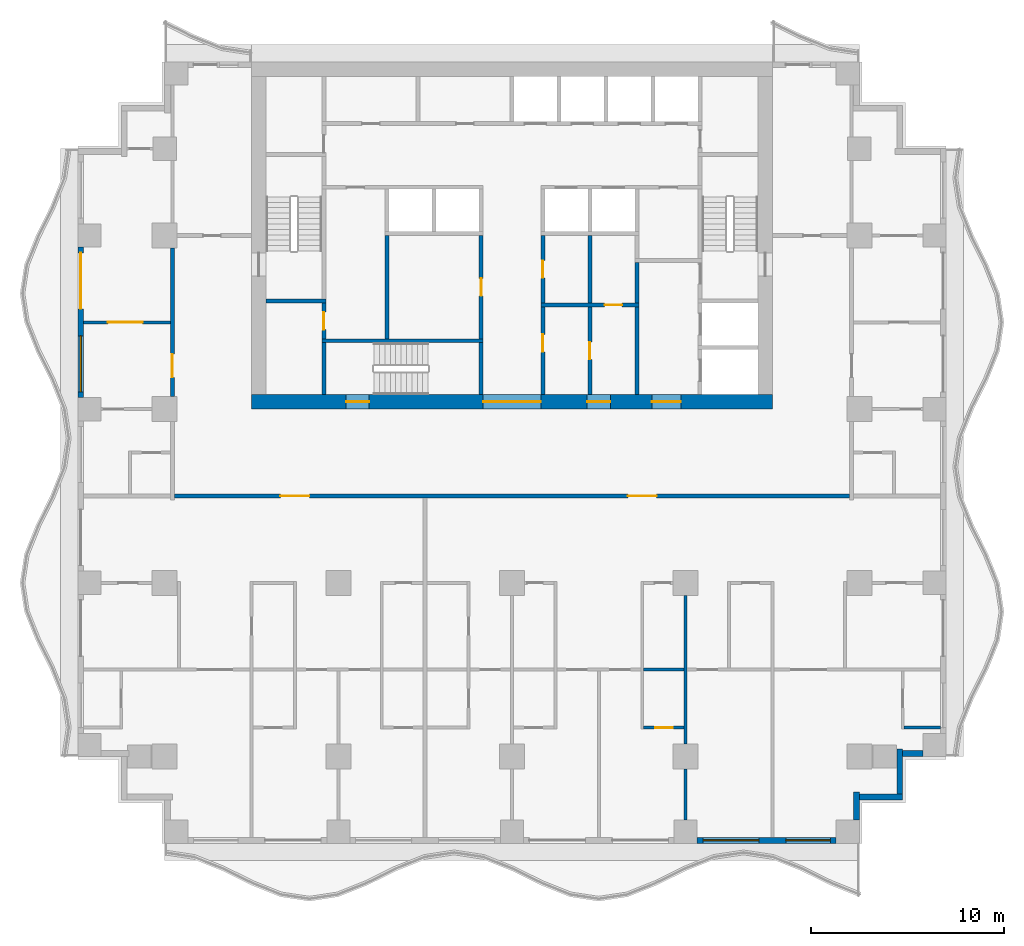
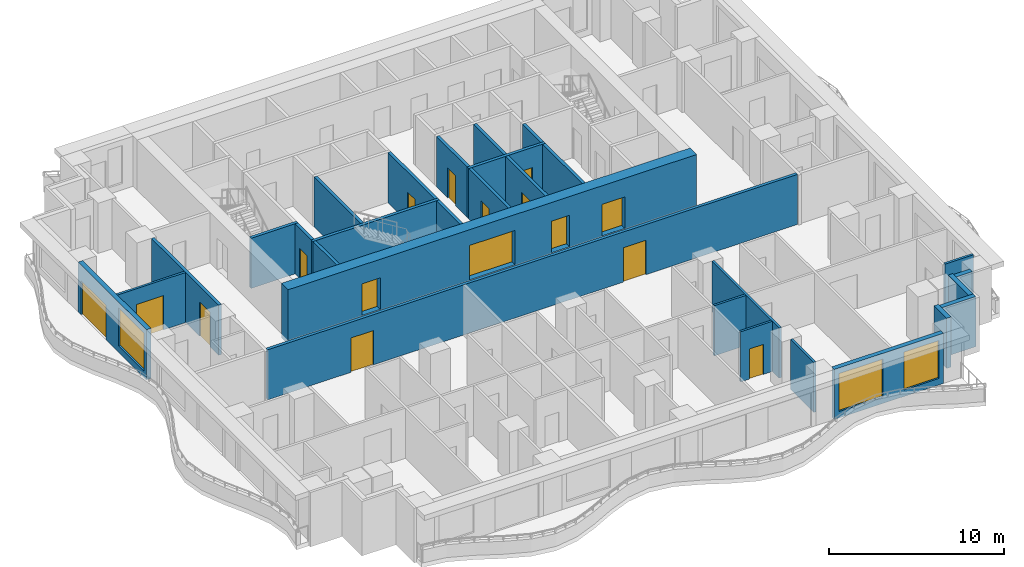
# One storey, part 3 of 10: 29 walls, 16 doors, 3 windows, 19 openings.
"""IFC4 building model written with IfcOpenShell, lengths in metres."""

from ifc_helpers import new_model, si_unit, direction, frame, frame_2d, origin, place, context, subcontext, project, spatial, rectangle, extrude, material, layer, layer_set, type_object, element, fill, save


model = new_model("IFC4")

# Units and contexts
model_context = context("Model", 3, precision=1e-05, world=origin(), true_north=direction((0.0, 1.0)))
body_context = subcontext(model_context, "Body", "Model", "MODEL_VIEW")
ifc_project = project(units=[si_unit("LENGTHUNIT", "METRE"), si_unit("AREAUNIT", "SQUARE_METRE"), si_unit("VOLUMEUNIT", "CUBIC_METRE"), si_unit("PLANEANGLEUNIT", "RADIAN"), si_unit("MASSUNIT", "GRAM", prefix="KILO")], contexts=[model_context])

# Site, building, storey
site_placement = place(None, origin())
site = spatial("IfcSite", under=ifc_project, at=site_placement, CompositionType="ELEMENT")
building_placement = place(site_placement, origin())
building = spatial("IfcBuilding", under=site, at=building_placement, Name="Orbiselva Terraces", CompositionType="ELEMENT")
storey_placement = place(building_placement, frame((0.0, 0.0, 136.4)))
storey = spatial("IfcBuildingStorey", under=building, at=storey_placement, Name="L34", CompositionType="ELEMENT", Elevation=136.4)

# Wall, openings, doors
ifc_material_1 = material(Name="Concrete C80/95", Category="concrete")
ifc_layer_1 = layer(ifc_material_1, 0.75)
ifc_layer_set_1 = layer_set([ifc_layer_1], Name="Concrete C80/95")
wall_type_1 = type_object("IfcWallType", Name="CORE WALL 750", PredefinedType="SHEAR", material=ifc_layer_set_1)
wall_1_placement = place(storey_placement, frame((-13.5, 4.875, -0.3), z_axis=(0.0, 0.0, 1.0), x_axis=(1.0, 0.0, 0.0)))
wall_1 = element("IfcWall", 1, at=wall_1_placement, inside=storey, type_object=wall_type_1, Name="Core wall L34 south", PredefinedType="SHEAR", context=body_context, shape_type="SweptSolid", body=[
    extrude(rectangle(XDim=27.0, YDim=0.75, at=frame_2d((13.5, 0.0))), origin(), (0.0, 0.0, 1.0), 3.8),
])
opening_1_placement = place(wall_1_placement, frame((12.0, 0.0, 0.3)))
opening_1 = element("IfcOpeningElement", 2, at=opening_1_placement, cuts=wall_1, Name="Opening DL3000", PredefinedType="OPENING", context=body_context, shape_type="SweptSolid", body=[
    extrude(rectangle(XDim=3.0, YDim=2.4, at=frame_2d((1.5, 1.2))), frame((0.0, 0.385, 0.0), z_axis=(0.0, -1.0, 0.0), x_axis=(1.0, 0.0, 0.0)), (0.0, 0.0, 1.0), 0.77),
])
opening_2_placement = place(wall_1_placement, frame((4.9, 0.0, 0.3)))
opening_2 = element("IfcOpeningElement", 3, at=opening_2_placement, cuts=wall_1, Name="Opening DS1200", PredefinedType="OPENING", context=body_context, shape_type="SweptSolid", body=[
    extrude(rectangle(XDim=1.2, YDim=2.2, at=frame_2d((0.6, 1.1))), frame((0.0, 0.385, 0.0), z_axis=(0.0, -1.0, 0.0), x_axis=(1.0, 0.0, 0.0)), (0.0, 0.0, 1.0), 0.77),
])
opening_3_placement = place(wall_1_placement, frame((20.75, 0.0, 0.3)))
opening_3 = element("IfcOpeningElement", 4, at=opening_3_placement, cuts=wall_1, Name="Opening DF1500", PredefinedType="OPENING", context=body_context, shape_type="SweptSolid", body=[
    extrude(rectangle(XDim=1.5, YDim=2.2, at=frame_2d((0.75, 1.1))), frame((0.0, 0.385, 0.0), z_axis=(0.0, -1.0, 0.0), x_axis=(1.0, 0.0, 0.0)), (0.0, 0.0, 1.0), 0.77),
])
opening_4_placement = place(wall_1_placement, frame((17.4, 0.0, 0.3)))
opening_4 = element("IfcOpeningElement", 5, at=opening_4_placement, cuts=wall_1, Name="Opening DV1200", PredefinedType="OPENING", context=body_context, shape_type="SweptSolid", body=[
    extrude(rectangle(XDim=1.2, YDim=2.2, at=frame_2d((0.6, 1.1))), frame((0.0, 0.385, 0.0), z_axis=(0.0, -1.0, 0.0), x_axis=(1.0, 0.0, 0.0)), (0.0, 0.0, 1.0), 0.77),
])
ifc_material_2 = material(Name="Steel fire door", Category="steel")
door_type_1 = type_object("IfcDoorType", Name="FFL DOOR 1500", OperationType="DOUBLE_DOOR_SINGLE_SWING", PredefinedType="DOOR", material=ifc_material_2)
door_1_placement = place(opening_3_placement, frame((1.5, 0.0, 0.0), z_axis=(0.0, 0.0, 1.0), x_axis=(-1.0, 0.0, 0.0)))
door_1 = element("IfcDoor", 6, at=door_1_placement, inside=storey, type_object=door_type_1, Name="L34 FIRE-FIGHTING LOBBY door", OperationType="DOUBLE_DOOR_SINGLE_SWING", OverallHeight=2.2, OverallWidth=1.5, PredefinedType="DOOR", context=body_context, shape_type="SweptSolid", body=[
    extrude(rectangle(XDim=1.5, YDim=2.2, at=frame_2d((0.75, 1.1))), frame((0.0, 0.025, 0.0), z_axis=(0.0, -1.0, 0.0), x_axis=(1.0, 0.0, 0.0)), (0.0, 0.0, 1.0), 0.05),
])
fill(opening_3, door_1)
door_type_2 = type_object("IfcDoorType", Name="LOBBY DOOR 3000", OperationType="DOUBLE_DOOR_SINGLE_SWING", PredefinedType="DOOR", material=ifc_material_2)
door_2_placement = place(opening_1_placement, frame((3.0, 0.0, 0.0), z_axis=(0.0, 0.0, 1.0), x_axis=(-1.0, 0.0, 0.0)))
door_2 = element("IfcDoor", 7, at=door_2_placement, inside=storey, type_object=door_type_2, Name="L34 LIFT LOBBY door", OperationType="DOUBLE_DOOR_SINGLE_SWING", OverallHeight=2.4, OverallWidth=3.0, PredefinedType="DOOR", context=body_context, shape_type="SweptSolid", body=[
    extrude(rectangle(XDim=3.0, YDim=2.4, at=frame_2d((1.5, 1.2))), frame((0.0, 0.025, 0.0), z_axis=(0.0, -1.0, 0.0), x_axis=(1.0, 0.0, 0.0)), (0.0, 0.0, 1.0), 0.05),
])
fill(opening_1, door_2)
door_type_3 = type_object("IfcDoorType", Name="SERVICE DOOR 1200", OperationType="NOTDEFINED", PredefinedType="DOOR", material=ifc_material_2)
door_3_placement = place(opening_4_placement, frame((1.2, 0.0, 0.0), z_axis=(0.0, 0.0, 1.0), x_axis=(-1.0, 0.0, 0.0)))
door_3 = element("IfcDoor", 8, at=door_3_placement, inside=storey, type_object=door_type_3, Name="L34 SPARE PARTS STORE door", OperationType="SINGLE_SWING_RIGHT", OverallHeight=2.2, OverallWidth=1.2, PredefinedType="DOOR", context=body_context, shape_type="SweptSolid", body=[
    extrude(rectangle(XDim=1.2, YDim=2.2, at=frame_2d((0.6, 1.1))), frame((0.0, 0.025, 0.0), z_axis=(0.0, -1.0, 0.0), x_axis=(1.0, 0.0, 0.0)), (0.0, 0.0, 1.0), 0.05),
])
fill(opening_4, door_3)
door_type_4 = type_object("IfcDoorType", Name="STAIR DOOR 1200", OperationType="NOTDEFINED", PredefinedType="DOOR", material=ifc_material_2)
door_4_placement = place(opening_2_placement, frame((1.2, 0.0, 0.0), z_axis=(0.0, 0.0, 1.0), x_axis=(-1.0, 0.0, 0.0)))
door_4 = element("IfcDoor", 9, at=door_4_placement, inside=storey, type_object=door_type_4, Name="L34 EXIT STAIR S3 door", OperationType="SINGLE_SWING_LEFT", OverallHeight=2.2, OverallWidth=1.2, PredefinedType="DOOR", context=body_context, shape_type="SweptSolid", body=[
    extrude(rectangle(XDim=1.2, YDim=2.2, at=frame_2d((0.6, 1.1))), frame((0.0, 0.025, 0.0), z_axis=(0.0, -1.0, 0.0), x_axis=(1.0, 0.0, 0.0)), (0.0, 0.0, 1.0), 0.05),
])
fill(opening_2, door_4)

# Wall, opening, door
ifc_material_3 = material(Name="Masonry blockwork", Category="masonry")
ifc_layer_2 = layer(ifc_material_3, 0.2)
ifc_layer_set_2 = layer_set([ifc_layer_2], Name="Masonry blockwork")
wall_type_2 = type_object("IfcWallType", Name="CORE-WALL-PARTITION-200", PredefinedType="PARTITIONING", material=ifc_layer_set_2)
wall_2_placement = place(storey_placement, frame((-9.75, 8.15, 0.0), z_axis=(0.0, 0.0, 1.0), x_axis=(0.0, 1.0, 0.0)))
wall_2 = element("IfcWall", 10, at=wall_2_placement, inside=storey, type_object=wall_type_2, Name="L34 core wall 05", PredefinedType="PARTITIONING", context=body_context, shape_type="SweptSolid", body=[
    extrude(rectangle(XDim=1.85, YDim=0.2, at=frame_2d((0.925, 0.0))), origin(), (0.0, 0.0, 1.0), 3.5),
])
opening_5_placement = place(wall_2_placement, frame((0.475, 0.0, 0.0)))
opening_5 = element("IfcOpeningElement", 11, at=opening_5_placement, cuts=wall_2, Name="Opening DR900", PredefinedType="OPENING", context=body_context, shape_type="SweptSolid", body=[
    extrude(rectangle(XDim=0.9, YDim=2.1, at=frame_2d((0.45, 1.05))), frame((0.0, 0.11, 0.0), z_axis=(0.0, -1.0, 0.0), x_axis=(1.0, 0.0, 0.0)), (0.0, 0.0, 1.0), 0.22),
])
door_type_5 = type_object("IfcDoorType", Name="ROOM DOOR 900", OperationType="NOTDEFINED", PredefinedType="DOOR", material=ifc_material_2)
door_5_placement = place(opening_5_placement, origin())
door_5 = element("IfcDoor", 12, at=door_5_placement, inside=storey, type_object=door_type_5, Name="L34 STAFF WC door", OperationType="SINGLE_SWING_RIGHT", OverallHeight=2.1, OverallWidth=0.9, PredefinedType="DOOR", context=body_context, shape_type="SweptSolid", body=[
    extrude(rectangle(XDim=0.9, YDim=2.1, at=frame_2d((0.45, 1.05))), frame((0.0, 0.025, 0.0), z_axis=(0.0, -1.0, 0.0), x_axis=(1.0, 0.0, 0.0)), (0.0, 0.0, 1.0), 0.05),
])
fill(opening_5, door_5)

# Wall
wall_3_placement = place(storey_placement, frame((-6.475, 8.15, 0.0), z_axis=(0.0, 0.0, 1.0), x_axis=(0.0, 1.0, 0.0)))
element("IfcWall", 13, at=wall_3_placement, inside=storey, type_object=wall_type_2, Name="L34 core wall 12", PredefinedType="PARTITIONING", context=body_context, shape_type="SweptSolid", body=[
    extrude(rectangle(XDim=5.35, YDim=0.2, at=frame_2d((2.675, 0.0))), origin(), (0.0, 0.0, 1.0), 3.5),
])

# Wall, opening, door
wall_4_placement = place(storey_placement, frame((4.0375, 9.8, 0.0), z_axis=(0.0, 0.0, 1.0), x_axis=(0.0, -1.0, 0.0)))
wall_4 = element("IfcWall", 14, at=wall_4_placement, inside=storey, type_object=wall_type_2, Name="L34 core wall 28", PredefinedType="PARTITIONING", context=body_context, shape_type="SweptSolid", body=[
    extrude(rectangle(XDim=4.55, YDim=0.2, at=frame_2d((2.275, 0.0))), origin(), (0.0, 0.0, 1.0), 3.5),
])
opening_6_placement = place(wall_4_placement, frame((1.825, 0.0, 0.0)))
opening_6 = element("IfcOpeningElement", 15, at=opening_6_placement, cuts=wall_4, Name="Opening DR900", PredefinedType="OPENING", context=body_context, shape_type="SweptSolid", body=[
    extrude(rectangle(XDim=0.9, YDim=2.1, at=frame_2d((0.45, 1.05))), frame((0.0, 0.11, 0.0), z_axis=(0.0, -1.0, 0.0), x_axis=(1.0, 0.0, 0.0)), (0.0, 0.0, 1.0), 0.22),
])
door_6_placement = place(opening_6_placement, origin())
door_6 = element("IfcDoor", 16, at=door_6_placement, inside=storey, type_object=door_type_5, Name="L34 SPARE PARTS STORE door", OperationType="SINGLE_SWING_LEFT", OverallHeight=2.1, OverallWidth=0.9, PredefinedType="DOOR", context=body_context, shape_type="SweptSolid", body=[
    extrude(rectangle(XDim=0.9, YDim=2.1, at=frame_2d((0.45, 1.05))), frame((0.0, 0.025, 0.0), z_axis=(0.0, -1.0, 0.0), x_axis=(1.0, 0.0, 0.0)), (0.0, 0.0, 1.0), 0.05),
])
fill(opening_6, door_6)

# Walls
wall_5_placement = place(storey_placement, frame((4.0375, 10.0, 0.0), z_axis=(0.0, 0.0, 1.0), x_axis=(0.0, 1.0, 0.0)))
element("IfcWall", 17, at=wall_5_placement, inside=storey, type_object=wall_type_2, Name="L34 core wall 29", PredefinedType="PARTITIONING", context=body_context, shape_type="SweptSolid", body=[
    extrude(rectangle(XDim=3.5, YDim=0.2, at=frame_2d((1.75, 0.0))), origin(), (0.0, 0.0, 1.0), 3.5),
])
ifc_material_4 = material(Name="Concrete C60/75", Category="concrete")
ifc_layer_3 = layer(ifc_material_4, 0.2)
ifc_layer_set_3 = layer_set([ifc_layer_3], Name="Concrete C60/75")
wall_type_3 = type_object("IfcWallType", Name="CORE-WALL-SHEAR-200", PredefinedType="SHEAR", material=ifc_layer_set_3)
wall_6_placement = place(storey_placement, frame((-12.75, 10.1, 0.0), z_axis=(0.0, 0.0, 1.0), x_axis=(1.0, 0.0, 0.0)))
element("IfcWall", 18, at=wall_6_placement, inside=storey, type_object=wall_type_3, Name="L34 core wall 01", PredefinedType="SHEAR", context=body_context, shape_type="SweptSolid", body=[
    extrude(rectangle(XDim=3.1, YDim=0.2, at=frame_2d((1.55, 0.0))), origin(), (0.0, 0.0, 1.0), 3.5),
])
wall_7_placement = place(storey_placement, frame((-9.75, 5.25, 0.0), z_axis=(0.0, 0.0, 1.0), x_axis=(0.0, 1.0, 0.0)))
element("IfcWall", 19, at=wall_7_placement, inside=storey, type_object=wall_type_3, Name="L34 core wall 03", PredefinedType="SHEAR", context=body_context, shape_type="SweptSolid", body=[
    extrude(rectangle(XDim=2.7, YDim=0.2, at=frame_2d((1.35, 0.0))), origin(), (0.0, 0.0, 1.0), 3.5),
])
wall_8_placement = place(storey_placement, frame((-9.85, 8.05, 0.0), z_axis=(0.0, 0.0, 1.0), x_axis=(1.0, 0.0, 0.0)))
element("IfcWall", 20, at=wall_8_placement, inside=storey, type_object=wall_type_3, Name="L34 core wall 04", PredefinedType="SHEAR", context=body_context, shape_type="SweptSolid", body=[
    extrude(rectangle(XDim=8.35, YDim=0.2, at=frame_2d((4.175, 0.0))), origin(), (0.0, 0.0, 1.0), 3.5),
])
wall_9_placement = place(storey_placement, frame((-1.6, 5.25, 0.0), z_axis=(0.0, 0.0, 1.0), x_axis=(0.0, 1.0, 0.0)))
element("IfcWall", 21, at=wall_9_placement, inside=storey, type_object=wall_type_3, Name="L34 core wall 17", PredefinedType="SHEAR", context=body_context, shape_type="SweptSolid", body=[
    extrude(rectangle(XDim=2.7, YDim=0.2, at=frame_2d((1.35, 0.0))), origin(), (0.0, 0.0, 1.0), 3.5),
])

# Wall, opening, door
wall_10_placement = place(storey_placement, frame((-1.6, 8.15, 0.0), z_axis=(0.0, 0.0, 1.0), x_axis=(0.0, 1.0, 0.0)))
wall_10 = element("IfcWall", 22, at=wall_10_placement, inside=storey, type_object=wall_type_3, Name="L34 core wall 18", PredefinedType="SHEAR", context=body_context, shape_type="SweptSolid", body=[
    extrude(rectangle(XDim=5.35, YDim=0.2, at=frame_2d((2.675, 0.0))), origin(), (0.0, 0.0, 1.0), 3.5),
])
opening_7_placement = place(wall_10_placement, frame((2.225, 0.0, 0.0)))
opening_7 = element("IfcOpeningElement", 23, at=opening_7_placement, cuts=wall_10, Name="Opening DR900", PredefinedType="OPENING", context=body_context, shape_type="SweptSolid", body=[
    extrude(rectangle(XDim=0.9, YDim=2.1, at=frame_2d((0.45, 1.05))), frame((0.0, 0.11, 0.0), z_axis=(0.0, -1.0, 0.0), x_axis=(1.0, 0.0, 0.0)), (0.0, 0.0, 1.0), 0.22),
])
door_7_placement = place(opening_7_placement, origin())
door_7 = element("IfcDoor", 24, at=door_7_placement, inside=storey, type_object=door_type_5, Name="L34 HOUSEKEEPING STORE door", OperationType="SINGLE_SWING_RIGHT", OverallHeight=2.1, OverallWidth=0.9, PredefinedType="DOOR", context=body_context, shape_type="SweptSolid", body=[
    extrude(rectangle(XDim=0.9, YDim=2.1, at=frame_2d((0.45, 1.05))), frame((0.0, 0.025, 0.0), z_axis=(0.0, -1.0, 0.0), x_axis=(1.0, 0.0, 0.0)), (0.0, 0.0, 1.0), 0.05),
])
fill(opening_7, door_7)

wall_11_placement = place(storey_placement, frame((1.6, 9.8, 0.0), z_axis=(0.0, 0.0, 1.0), x_axis=(0.0, -1.0, 0.0)))
wall_11 = element("IfcWall", 25, at=wall_11_placement, inside=storey, type_object=wall_type_3, Name="L34 core wall 21", PredefinedType="SHEAR", context=body_context, shape_type="SweptSolid", body=[
    extrude(rectangle(XDim=4.55, YDim=0.2, at=frame_2d((2.275, 0.0))), origin(), (0.0, 0.0, 1.0), 3.5),
])
opening_8_placement = place(wall_11_placement, frame((1.425, 0.0, 0.0)))
opening_8 = element("IfcOpeningElement", 26, at=opening_8_placement, cuts=wall_11, Name="Opening DR900", PredefinedType="OPENING", context=body_context, shape_type="SweptSolid", body=[
    extrude(rectangle(XDim=0.9, YDim=2.1, at=frame_2d((0.45, 1.05))), frame((0.0, 0.11, 0.0), z_axis=(0.0, -1.0, 0.0), x_axis=(1.0, 0.0, 0.0)), (0.0, 0.0, 1.0), 0.22),
])
door_8_placement = place(opening_8_placement, origin())
door_8 = element("IfcDoor", 27, at=door_8_placement, inside=storey, type_object=door_type_5, Name="L34 ELECTRICAL ROOM door", OperationType="SINGLE_SWING_LEFT", OverallHeight=2.1, OverallWidth=0.9, PredefinedType="DOOR", context=body_context, shape_type="SweptSolid", body=[
    extrude(rectangle(XDim=0.9, YDim=2.1, at=frame_2d((0.45, 1.05))), frame((0.0, 0.025, 0.0), z_axis=(0.0, -1.0, 0.0), x_axis=(1.0, 0.0, 0.0)), (0.0, 0.0, 1.0), 0.05),
])
fill(opening_8, door_8)

wall_12_placement = place(storey_placement, frame((1.5, 9.9, 0.0), z_axis=(0.0, 0.0, 1.0), x_axis=(1.0, 0.0, 0.0)))
wall_12 = element("IfcWall", 28, at=wall_12_placement, inside=storey, type_object=wall_type_3, Name="L34 core wall 22", PredefinedType="SHEAR", context=body_context, shape_type="SweptSolid", body=[
    extrude(rectangle(XDim=5.075, YDim=0.2, at=frame_2d((2.5375, 0.0))), origin(), (0.0, 0.0, 1.0), 3.5),
])
opening_9_placement = place(wall_12_placement, frame((3.3062, 0.0, 0.0)))
opening_9 = element("IfcOpeningElement", 29, at=opening_9_placement, cuts=wall_12, Name="Opening DR900", PredefinedType="OPENING", context=body_context, shape_type="SweptSolid", body=[
    extrude(rectangle(XDim=0.9, YDim=2.1, at=frame_2d((0.45, 1.05))), frame((0.0, 0.11, 0.0), z_axis=(0.0, -1.0, 0.0), x_axis=(1.0, 0.0, 0.0)), (0.0, 0.0, 1.0), 0.22),
])
door_9_placement = place(opening_9_placement, origin())
door_9 = element("IfcDoor", 30, at=door_9_placement, inside=storey, type_object=door_type_5, Name="L34 LINEN STORE door", OperationType="SINGLE_SWING_RIGHT", OverallHeight=2.1, OverallWidth=0.9, PredefinedType="DOOR", context=body_context, shape_type="SweptSolid", body=[
    extrude(rectangle(XDim=0.9, YDim=2.1, at=frame_2d((0.45, 1.05))), frame((0.0, 0.025, 0.0), z_axis=(0.0, -1.0, 0.0), x_axis=(1.0, 0.0, 0.0)), (0.0, 0.0, 1.0), 0.05),
])
fill(opening_9, door_9)

wall_13_placement = place(storey_placement, frame((1.6, 13.5, 0.0), z_axis=(0.0, 0.0, 1.0), x_axis=(0.0, -1.0, 0.0)))
wall_13 = element("IfcWall", 31, at=wall_13_placement, inside=storey, type_object=wall_type_3, Name="L34 core wall 23", PredefinedType="SHEAR", context=body_context, shape_type="SweptSolid", body=[
    extrude(rectangle(XDim=3.5, YDim=0.2, at=frame_2d((1.75, 0.0))), origin(), (0.0, 0.0, 1.0), 3.5),
])
opening_10_placement = place(wall_13_placement, frame((1.3, 0.0, 0.0)))
opening_10 = element("IfcOpeningElement", 32, at=opening_10_placement, cuts=wall_13, Name="Opening DR900", PredefinedType="OPENING", context=body_context, shape_type="SweptSolid", body=[
    extrude(rectangle(XDim=0.9, YDim=2.1, at=frame_2d((0.45, 1.05))), frame((0.0, 0.11, 0.0), z_axis=(0.0, -1.0, 0.0), x_axis=(1.0, 0.0, 0.0)), (0.0, 0.0, 1.0), 0.22),
])
door_10_placement = place(opening_10_placement, origin())
door_10 = element("IfcDoor", 33, at=door_10_placement, inside=storey, type_object=door_type_5, Name="L34 COMMS ROOM door", OperationType="SINGLE_SWING_RIGHT", OverallHeight=2.1, OverallWidth=0.9, PredefinedType="DOOR", context=body_context, shape_type="SweptSolid", body=[
    extrude(rectangle(XDim=0.9, YDim=2.1, at=frame_2d((0.45, 1.05))), frame((0.0, 0.025, 0.0), z_axis=(0.0, -1.0, 0.0), x_axis=(1.0, 0.0, 0.0)), (0.0, 0.0, 1.0), 0.05),
])
fill(opening_10, door_10)

# Walls
wall_14_placement = place(storey_placement, frame((6.475, 5.25, 0.0), z_axis=(0.0, 0.0, 1.0), x_axis=(0.0, 1.0, 0.0)))
element("IfcWall", 34, at=wall_14_placement, inside=storey, type_object=wall_type_3, Name="L34 core wall 32", PredefinedType="SHEAR", context=body_context, shape_type="SweptSolid", body=[
    extrude(rectangle(XDim=4.55, YDim=0.2, at=frame_2d((2.275, 0.0))), origin(), (0.0, 0.0, 1.0), 3.5),
])
wall_15_placement = place(storey_placement, frame((6.475, 10.0, 0.0), z_axis=(0.0, 0.0, 1.0), x_axis=(0.0, 1.0, 0.0)))
element("IfcWall", 35, at=wall_15_placement, inside=storey, type_object=wall_type_3, Name="L34 core wall 33", PredefinedType="SHEAR", context=body_context, shape_type="SweptSolid", body=[
    extrude(rectangle(XDim=2.1, YDim=0.2, at=frame_2d((1.05, 0.0))), origin(), (0.0, 0.0, 1.0), 3.5),
])

# Wall, openings, windows
ifc_material_5 = material(Name="Terracotta cladding on masonry backing", Category="masonry")
ifc_layer_4 = layer(ifc_material_5, 0.3)
ifc_layer_set_4 = layer_set([ifc_layer_4], Name="Terracotta cladding on masonry backing")
wall_type_4 = type_object("IfcWallType", Name="ENV-WALL-TERRACOTTA-300", PredefinedType="SOLIDWALL", material=ifc_layer_set_4)
wall_16_placement = place(storey_placement, frame((16.8, -17.85, 0.0), z_axis=(0.0, 0.0, 1.0), x_axis=(-1.0, 0.0, 0.0)))
wall_16 = element("IfcWall", 36, at=wall_16_placement, inside=storey, type_object=wall_type_4, Name="Facade wall L34 S", PredefinedType="SOLIDWALL", context=body_context, shape_type="SweptSolid", body=[
    extrude(rectangle(XDim=7.2, YDim=0.3, at=frame_2d((3.6, 0.0))), origin(), (0.0, 0.0, 1.0), 3.5),
])
opening_11_placement = place(wall_16_placement, frame((4.0, 0.0, 0.45)))
opening_11 = element("IfcOpeningElement", 37, at=opening_11_placement, cuts=wall_16, Name="Opening WN8", PredefinedType="OPENING", context=body_context, shape_type="SweptSolid", body=[
    extrude(rectangle(XDim=2.9, YDim=2.65, at=frame_2d((1.45, 1.325))), frame((0.0, 0.16, 0.0), z_axis=(0.0, -1.0, 0.0), x_axis=(1.0, 0.0, 0.0)), (0.0, 0.0, 1.0), 0.32),
])
opening_12_placement = place(wall_16_placement, frame((0.3, 0.0, 0.45)))
opening_12 = element("IfcOpeningElement", 38, at=opening_12_placement, cuts=wall_16, Name="Opening WN7", PredefinedType="OPENING", context=body_context, shape_type="SweptSolid", body=[
    extrude(rectangle(XDim=2.3, YDim=2.65, at=frame_2d((1.15, 1.325))), frame((0.0, 0.16, 0.0), z_axis=(0.0, -1.0, 0.0), x_axis=(1.0, 0.0, 0.0)), (0.0, 0.0, 1.0), 0.32),
])
ifc_material_6 = material(Name="Clear low-e glazing in aluminium frame", Category="aluminium")
window_type_1 = type_object("IfcWindowType", Name="WINDOW 2300 X 2650 S450", PartitioningType="TRIPLE_PANEL_VERTICAL", PredefinedType="WINDOW", material=ifc_material_6)
window_1_placement = place(opening_12_placement, origin())
window_1 = element("IfcWindow", 39, at=window_1_placement, inside=storey, type_object=window_type_1, Name="Window L34 S", OverallHeight=2.65, OverallWidth=2.3, PartitioningType="SINGLE_PANEL", PredefinedType="WINDOW", context=body_context, shape_type="SweptSolid", body=[
    extrude(rectangle(XDim=2.3, YDim=2.65, at=frame_2d((1.15, 1.325))), frame((0.0, 0.03, 0.0), z_axis=(0.0, -1.0, 0.0), x_axis=(1.0, 0.0, 0.0)), (0.0, 0.0, 1.0), 0.06),
])
fill(opening_12, window_1)
window_type_2 = type_object("IfcWindowType", Name="WINDOW 2900 X 2650 S450", PartitioningType="TRIPLE_PANEL_VERTICAL", PredefinedType="WINDOW", material=ifc_material_6)
window_2_placement = place(opening_11_placement, origin())
window_2 = element("IfcWindow", 40, at=window_2_placement, inside=storey, type_object=window_type_2, Name="Window L34 S", OverallHeight=2.65, OverallWidth=2.9, PartitioningType="SINGLE_PANEL", PredefinedType="WINDOW", context=body_context, shape_type="SweptSolid", body=[
    extrude(rectangle(XDim=2.9, YDim=2.65, at=frame_2d((1.45, 1.325))), frame((0.0, 0.03, 0.0), z_axis=(0.0, -1.0, 0.0), x_axis=(1.0, 0.0, 0.0)), (0.0, 0.0, 1.0), 0.06),
])
fill(opening_11, window_2)

# Walls
wall_17_placement = place(storey_placement, frame((17.85, -15.35, 0.0), z_axis=(0.0, 0.0, 1.0), x_axis=(0.0, -1.0, 0.0)))
element("IfcWall", 41, at=wall_17_placement, inside=storey, type_object=wall_type_4, Name="Facade wall L34 STEP", PredefinedType="SOLIDWALL", context=body_context, shape_type="SweptSolid", body=[
    extrude(rectangle(XDim=1.45, YDim=0.3, at=frame_2d((0.725, 0.0))), origin(), (0.0, 0.0, 1.0), 3.5),
])
wall_18_placement = place(storey_placement, frame((20.25, -15.6, 0.0), z_axis=(0.0, 0.0, 1.0), x_axis=(-1.0, 0.0, 0.0)))
element("IfcWall", 42, at=wall_18_placement, inside=storey, type_object=wall_type_4, Name="Facade wall L34 STEP", PredefinedType="SOLIDWALL", context=body_context, shape_type="SweptSolid", body=[
    extrude(rectangle(XDim=2.25, YDim=0.3, at=frame_2d((1.125, 0.0))), origin(), (0.0, 0.0, 1.0), 3.5),
])
wall_19_placement = place(storey_placement, frame((20.1, -13.1, 0.0), z_axis=(0.0, 0.0, 1.0), x_axis=(0.0, -1.0, 0.0)))
element("IfcWall", 43, at=wall_19_placement, inside=storey, type_object=wall_type_4, Name="Facade wall L34 STEP", PredefinedType="SOLIDWALL", context=body_context, shape_type="SweptSolid", body=[
    extrude(rectangle(XDim=2.35, YDim=0.3, at=frame_2d((1.175, 0.0))), origin(), (0.0, 0.0, 1.0), 3.5),
])
wall_20_placement = place(storey_placement, frame((21.3, -13.35, 0.0), z_axis=(0.0, 0.0, 1.0), x_axis=(-1.0, 0.0, 0.0)))
element("IfcWall", 44, at=wall_20_placement, inside=storey, type_object=wall_type_4, Name="Facade wall L34 STEP", PredefinedType="SOLIDWALL", context=body_context, shape_type="SweptSolid", body=[
    extrude(rectangle(XDim=1.05, YDim=0.3, at=frame_2d((0.525, 0.0))), origin(), (0.0, 0.0, 1.0), 3.5),
])

# Wall, openings, door, window
wall_21_placement = place(storey_placement, frame((-22.35, 5.1, 0.0), z_axis=(0.0, 0.0, 1.0), x_axis=(0.0, 1.0, 0.0)))
wall_21 = element("IfcWall", 45, at=wall_21_placement, inside=storey, type_object=wall_type_4, Name="Facade wall L34 W", PredefinedType="SOLIDWALL", context=body_context, shape_type="SweptSolid", body=[
    extrude(rectangle(XDim=7.8, YDim=0.3, at=frame_2d((3.9, 0.0))), origin(), (0.0, 0.0, 1.0), 3.5),
])
opening_13_placement = place(wall_21_placement, frame((4.6, 0.0, 0.0)))
opening_13 = element("IfcOpeningElement", 46, at=opening_13_placement, cuts=wall_21, Name="Opening Z3-B-E09", PredefinedType="OPENING", context=body_context, shape_type="SweptSolid", body=[
    extrude(rectangle(XDim=2.9, YDim=2.4, at=frame_2d((1.45, 1.2))), frame((0.0, 0.16, 0.0), z_axis=(0.0, -1.0, 0.0), x_axis=(1.0, 0.0, 0.0)), (0.0, 0.0, 1.0), 0.32),
])
opening_14_placement = place(wall_21_placement, frame((0.3, 0.0, 0.45)))
opening_14 = element("IfcOpeningElement", 47, at=opening_14_placement, cuts=wall_21, Name="Opening WN8", PredefinedType="OPENING", context=body_context, shape_type="SweptSolid", body=[
    extrude(rectangle(XDim=2.9, YDim=2.65, at=frame_2d((1.45, 1.325))), frame((0.0, 0.16, 0.0), z_axis=(0.0, -1.0, 0.0), x_axis=(1.0, 0.0, 0.0)), (0.0, 0.0, 1.0), 0.32),
])
door_type_6 = type_object("IfcDoorType", Name="BALCONY DOOR 2900 X 2400", OperationType="DOUBLE_DOOR_SLIDING", PredefinedType="DOOR", material=ifc_material_6)
door_11_placement = place(opening_13_placement, origin())
door_11 = element("IfcDoor", 48, at=door_11_placement, inside=storey, type_object=door_type_6, Name="Z3-B-E09", OperationType="SINGLE_SWING_LEFT", OverallHeight=2.4, OverallWidth=2.9, PredefinedType="DOOR", context=body_context, shape_type="SweptSolid", body=[
    extrude(rectangle(XDim=2.9, YDim=2.4, at=frame_2d((1.45, 1.2))), frame((0.0, 0.025, 0.0), z_axis=(0.0, -1.0, 0.0), x_axis=(1.0, 0.0, 0.0)), (0.0, 0.0, 1.0), 0.05),
])
fill(opening_13, door_11)
window_3_placement = place(opening_14_placement, origin())
window_3 = element("IfcWindow", 49, at=window_3_placement, inside=storey, type_object=window_type_2, Name="Window L34 W", OverallHeight=2.65, OverallWidth=2.9, PartitioningType="SINGLE_PANEL", PredefinedType="WINDOW", context=body_context, shape_type="SweptSolid", body=[
    extrude(rectangle(XDim=2.9, YDim=2.65, at=frame_2d((1.45, 1.325))), frame((0.0, 0.03, 0.0), z_axis=(0.0, -1.0, 0.0), x_axis=(1.0, 0.0, 0.0)), (0.0, 0.0, 1.0), 0.06),
])
fill(opening_14, window_3)

# Wall, openings, doors
ifc_material_7 = material(Name="Plasterboard on steel stud partition", Category="steel")
ifc_layer_5 = layer(ifc_material_7, 0.2)
ifc_layer_set_5 = layer_set([ifc_layer_5], Name="Plasterboard on steel stud partition")
wall_type_5 = type_object("IfcWallType", Name="UNIT-ENTRANCE-WALL-200", PredefinedType="PARTITIONING", material=ifc_layer_set_5)
wall_22_placement = place(storey_placement, frame((17.5, 0.0, 0.0), z_axis=(0.0, 0.0, 1.0), x_axis=(-1.0, 0.0, 0.0)))
wall_22 = element("IfcWall", 50, at=wall_22_placement, inside=storey, type_object=wall_type_5, Name="PARTITION L34-027", PredefinedType="PARTITIONING", context=body_context, shape_type="SweptSolid", body=[
    extrude(rectangle(XDim=35.0, YDim=0.2, at=frame_2d((17.5, 0.0))), origin(), (0.0, 0.0, 1.0), 3.5),
])
opening_15_placement = place(wall_22_placement, frame((28.0, 0.0, 0.0)))
opening_15 = element("IfcOpeningElement", 51, at=opening_15_placement, cuts=wall_22, Name="Opening Z3-B-13", PredefinedType="OPENING", context=body_context, shape_type="SweptSolid", body=[
    extrude(rectangle(XDim=1.5, YDim=2.4, at=frame_2d((0.75, 1.2))), frame((0.0, 0.11, 0.0), z_axis=(0.0, -1.0, 0.0), x_axis=(1.0, 0.0, 0.0)), (0.0, 0.0, 1.0), 0.22),
])
opening_16_placement = place(wall_22_placement, frame((10.0, 0.0, 0.0)))
opening_16 = element("IfcOpeningElement", 52, at=opening_16_placement, cuts=wall_22, Name="Opening Z3-B-23", PredefinedType="OPENING", context=body_context, shape_type="SweptSolid", body=[
    extrude(rectangle(XDim=1.5, YDim=2.4, at=frame_2d((0.75, 1.2))), frame((0.0, 0.11, 0.0), z_axis=(0.0, -1.0, 0.0), x_axis=(1.0, 0.0, 0.0)), (0.0, 0.0, 1.0), 0.22),
])
ifc_material_8 = material(Name="Painted timber door leaf", Category="wood")
door_type_7 = type_object("IfcDoorType", Name="ENTRANCE DOUBLE DOOR 1500", OperationType="NOTDEFINED", PredefinedType="DOOR", material=ifc_material_8)
door_12_placement = place(opening_15_placement, origin())
door_12 = element("IfcDoor", 53, at=door_12_placement, inside=storey, type_object=door_type_7, Name="Z3-B-13", OperationType="DOUBLE_DOOR_SINGLE_SWING", OverallHeight=2.4, OverallWidth=1.5, PredefinedType="DOOR", context=body_context, shape_type="SweptSolid", body=[
    extrude(rectangle(XDim=1.5, YDim=2.4, at=frame_2d((0.75, 1.2))), frame((0.0, 0.025, 0.0), z_axis=(0.0, -1.0, 0.0), x_axis=(1.0, 0.0, 0.0)), (0.0, 0.0, 1.0), 0.05),
])
fill(opening_15, door_12)
door_13_placement = place(opening_16_placement, origin())
door_13 = element("IfcDoor", 54, at=door_13_placement, inside=storey, type_object=door_type_7, Name="Z3-B-23", OperationType="DOUBLE_DOOR_SINGLE_SWING", OverallHeight=2.4, OverallWidth=1.5, PredefinedType="DOOR", context=body_context, shape_type="SweptSolid", body=[
    extrude(rectangle(XDim=1.5, YDim=2.4, at=frame_2d((0.75, 1.2))), frame((0.0, 0.025, 0.0), z_axis=(0.0, -1.0, 0.0), x_axis=(1.0, 0.0, 0.0)), (0.0, 0.0, 1.0), 0.05),
])
fill(opening_16, door_13)

# Wall, opening, door
wall_23_placement = place(storey_placement, frame((-17.6, 5.15, 0.0), z_axis=(0.0, 0.0, 1.0), x_axis=(0.0, 1.0, 0.0)))
wall_23 = element("IfcWall", 55, at=wall_23_placement, inside=storey, type_object=wall_type_5, Name="PARTITION L34-043", PredefinedType="PARTITIONING", context=body_context, shape_type="SweptSolid", body=[
    extrude(rectangle(XDim=7.7, YDim=0.2, at=frame_2d((3.85, 0.0))), origin(), (0.0, 0.0, 1.0), 3.5),
])
opening_17_placement = place(wall_23_placement, frame((1.0, 0.0, 0.0)))
opening_17 = element("IfcOpeningElement", 56, at=opening_17_placement, cuts=wall_23, Name="Opening Z3-B-05", PredefinedType="OPENING", context=body_context, shape_type="SweptSolid", body=[
    extrude(rectangle(XDim=1.2, YDim=2.4, at=frame_2d((0.6, 1.2))), frame((0.0, 0.11, 0.0), z_axis=(0.0, -1.0, 0.0), x_axis=(1.0, 0.0, 0.0)), (0.0, 0.0, 1.0), 0.22),
])
door_type_8 = type_object("IfcDoorType", Name="ENTRANCE DOOR 1200", OperationType="NOTDEFINED", PredefinedType="DOOR", material=ifc_material_8)
door_14_placement = place(opening_17_placement, origin())
door_14 = element("IfcDoor", 57, at=door_14_placement, inside=storey, type_object=door_type_8, Name="Z3-B-05", OperationType="SINGLE_SWING_LEFT", OverallHeight=2.4, OverallWidth=1.2, PredefinedType="DOOR", context=body_context, shape_type="SweptSolid", body=[
    extrude(rectangle(XDim=1.2, YDim=2.4, at=frame_2d((0.6, 1.2))), frame((0.0, 0.025, 0.0), z_axis=(0.0, -1.0, 0.0), x_axis=(1.0, 0.0, 0.0)), (0.0, 0.0, 1.0), 0.05),
])
fill(opening_17, door_14)

ifc_layer_6 = layer(ifc_material_7, 0.15)
ifc_layer_set_6 = layer_set([ifc_layer_6], Name="Plasterboard on steel stud partition")
wall_type_6 = type_object("IfcWallType", Name="UNIT-PARTITION-150", PredefinedType="PARTITIONING", material=ifc_layer_set_6)
wall_24_placement = place(storey_placement, frame((6.825, -12.0, 0.0), z_axis=(0.0, 0.0, 1.0), x_axis=(1.0, 0.0, 0.0)))
wall_24 = element("IfcWall", 58, at=wall_24_placement, inside=storey, type_object=wall_type_6, Name="PARTITION L34-006", PredefinedType="PARTITIONING", context=body_context, shape_type="SweptSolid", body=[
    extrude(rectangle(XDim=2.1, YDim=0.15, at=frame_2d((1.05, 0.0))), origin(), (0.0, 0.0, 1.0), 3.5),
])
opening_18_placement = place(wall_24_placement, frame((0.6, 0.0, 0.0)))
opening_18 = element("IfcOpeningElement", 59, at=opening_18_placement, cuts=wall_24, Name="Opening Z3-B-34", PredefinedType="OPENING", context=body_context, shape_type="SweptSolid", body=[
    extrude(rectangle(XDim=0.9, YDim=2.1, at=frame_2d((0.45, 1.05))), frame((0.0, 0.085, 0.0), z_axis=(0.0, -1.0, 0.0), x_axis=(1.0, 0.0, 0.0)), (0.0, 0.0, 1.0), 0.17),
])
door_type_9 = type_object("IfcDoorType", Name="BATH DOOR 900", OperationType="NOTDEFINED", PredefinedType="DOOR", material=ifc_material_8)
door_15_placement = place(opening_18_placement, origin())
door_15 = element("IfcDoor", 60, at=door_15_placement, inside=storey, type_object=door_type_9, Name="Z3-B-34", OperationType="SINGLE_SWING_LEFT", OverallHeight=2.1, OverallWidth=0.9, PredefinedType="DOOR", context=body_context, shape_type="SweptSolid", body=[
    extrude(rectangle(XDim=0.9, YDim=2.1, at=frame_2d((0.45, 1.05))), frame((0.0, 0.025, 0.0), z_axis=(0.0, -1.0, 0.0), x_axis=(1.0, 0.0, 0.0)), (0.0, 0.0, 1.0), 0.05),
])
fill(opening_18, door_15)

# Walls
wall_25_placement = place(storey_placement, frame((20.325, -12.0, 0.0), z_axis=(0.0, 0.0, 1.0), x_axis=(1.0, 0.0, 0.0)))
element("IfcWall", 61, at=wall_25_placement, inside=storey, type_object=wall_type_6, Name="PARTITION L34-007", PredefinedType="PARTITIONING", context=body_context, shape_type="SweptSolid", body=[
    extrude(rectangle(XDim=1.875, YDim=0.15, at=frame_2d((0.9375, 0.0))), origin(), (0.0, 0.0, 1.0), 3.5),
])
wall_26_placement = place(storey_placement, frame((6.825, -9.0, 0.0), z_axis=(0.0, 0.0, 1.0), x_axis=(1.0, 0.0, 0.0)))
element("IfcWall", 62, at=wall_26_placement, inside=storey, type_object=wall_type_6, Name="PARTITION L34-016", PredefinedType="PARTITIONING", context=body_context, shape_type="SweptSolid", body=[
    extrude(rectangle(XDim=2.1, YDim=0.15, at=frame_2d((1.05, 0.0))), origin(), (0.0, 0.0, 1.0), 3.5),
])

# Wall, opening, door
wall_27_placement = place(storey_placement, frame((-22.2, 9.0, 0.0), z_axis=(0.0, 0.0, 1.0), x_axis=(1.0, 0.0, 0.0)))
wall_27 = element("IfcWall", 63, at=wall_27_placement, inside=storey, type_object=wall_type_6, Name="PARTITION L34-034", PredefinedType="PARTITIONING", context=body_context, shape_type="SweptSolid", body=[
    extrude(rectangle(XDim=4.5, YDim=0.15, at=frame_2d((2.25, 0.0))), origin(), (0.0, 0.0, 1.0), 3.5),
])
opening_19_placement = place(wall_27_placement, frame((1.25, 0.0, 0.0)))
opening_19 = element("IfcOpeningElement", 64, at=opening_19_placement, cuts=wall_27, Name="Opening Z3-B-06", PredefinedType="OPENING", context=body_context, shape_type="SweptSolid", body=[
    extrude(rectangle(XDim=1.8, YDim=2.4, at=frame_2d((0.9, 1.2))), frame((0.0, 0.085, 0.0), z_axis=(0.0, -1.0, 0.0), x_axis=(1.0, 0.0, 0.0)), (0.0, 0.0, 1.0), 0.17),
])
door_type_10 = type_object("IfcDoorType", Name="DOUBLE DOOR 1800", OperationType="NOTDEFINED", PredefinedType="DOOR", material=ifc_material_8)
door_16_placement = place(opening_19_placement, origin())
door_16 = element("IfcDoor", 65, at=door_16_placement, inside=storey, type_object=door_type_10, Name="Z3-B-06", OperationType="DOUBLE_DOOR_SINGLE_SWING", OverallHeight=2.4, OverallWidth=1.8, PredefinedType="DOOR", context=body_context, shape_type="SweptSolid", body=[
    extrude(rectangle(XDim=1.8, YDim=2.4, at=frame_2d((0.9, 1.2))), frame((0.0, 0.025, 0.0), z_axis=(0.0, -1.0, 0.0), x_axis=(1.0, 0.0, 0.0)), (0.0, 0.0, 1.0), 0.05),
])
fill(opening_19, door_16)

# Walls
wall_28_placement = place(storey_placement, frame((9.0, -16.8, 0.0), z_axis=(0.0, 0.0, 1.0), x_axis=(0.0, 1.0, 0.0)))
element("IfcWall", 66, at=wall_28_placement, inside=storey, type_object=wall_type_6, Name="PARTITION L34-059", PredefinedType="PARTITIONING", context=body_context, shape_type="SweptSolid", body=[
    extrude(rectangle(XDim=2.65, YDim=0.15, at=frame_2d((1.325, 0.0))), origin(), (0.0, 0.0, 1.0), 3.5),
])
wall_29_placement = place(storey_placement, frame((9.0, -12.85, 0.0), z_axis=(0.0, 0.0, 1.0), x_axis=(0.0, 1.0, 0.0)))
element("IfcWall", 67, at=wall_29_placement, inside=storey, type_object=wall_type_6, Name="PARTITION L34-060", PredefinedType="PARTITIONING", context=body_context, shape_type="SweptSolid", body=[
    extrude(rectangle(XDim=7.7, YDim=0.15, at=frame_2d((3.85, 0.0))), origin(), (0.0, 0.0, 1.0), 3.5),
])

save(model, "model.ifc")
